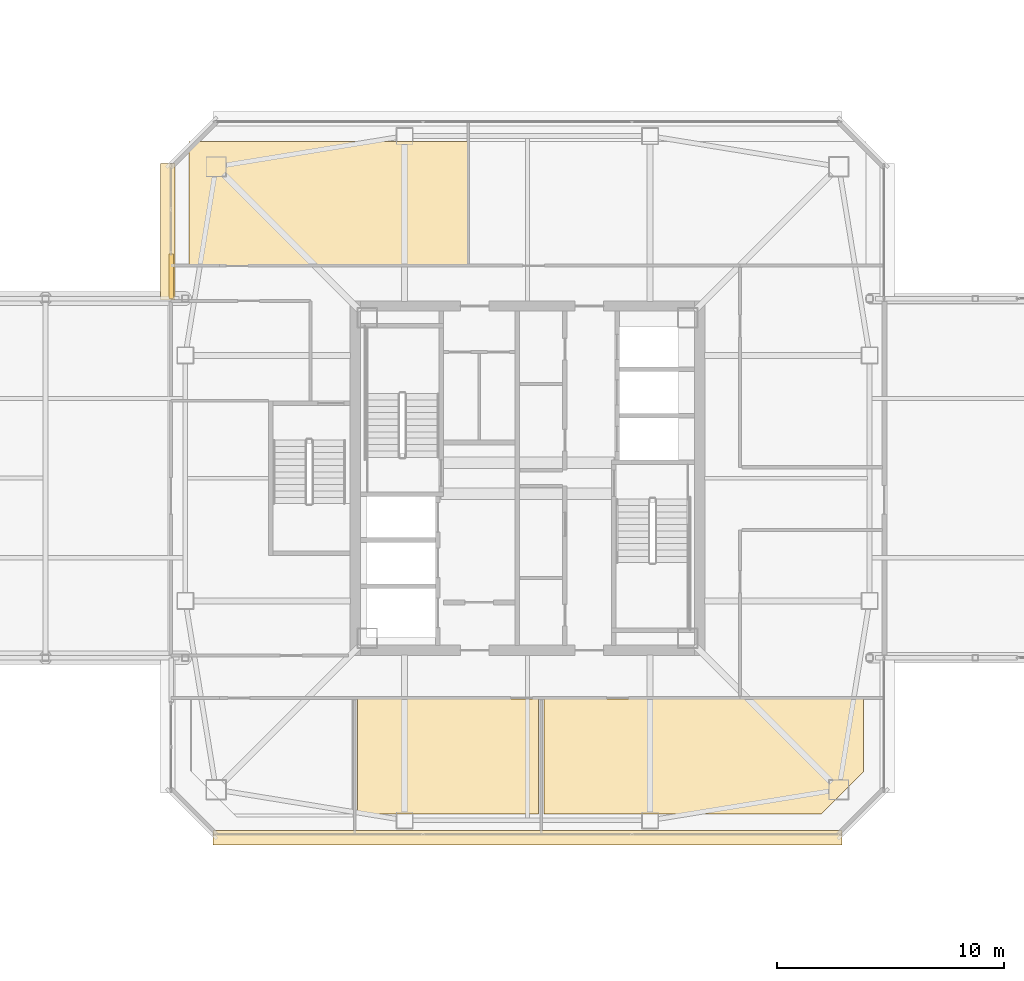
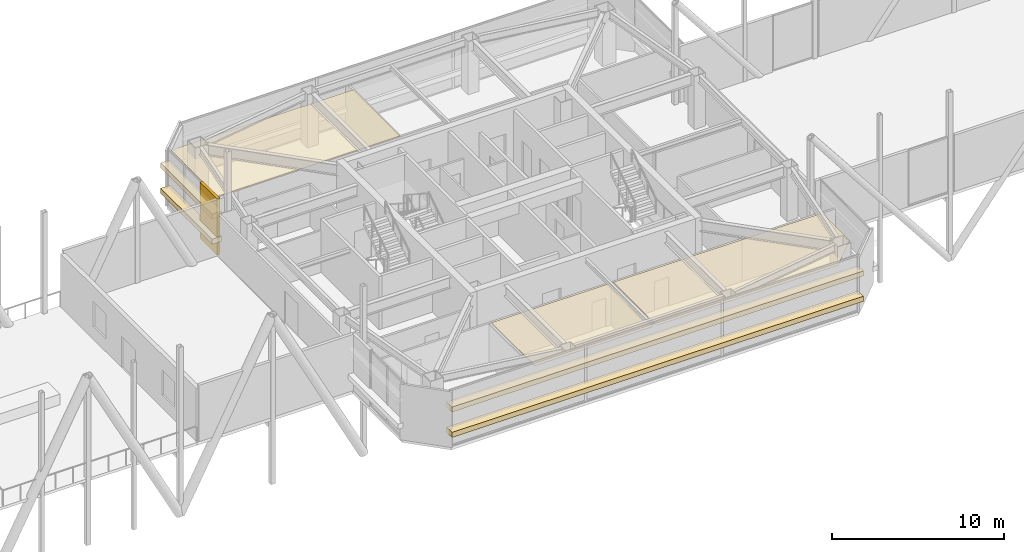
# One storey, part 48 of 53: 8 coverings.
"""IFC4 building model written with IfcOpenShell, lengths in metres."""

from ifc_helpers import new_model, si_unit, direction, frame, origin, origin_2d, place, context, subcontext, project, spatial, polyline, rectangle, outline, extrude, material, layer, layer_set, type_object, element, save


model = new_model("IFC4")

# Units and contexts
model_context = context("Model", 3, precision=1e-05, world=origin(), true_north=direction((0.0, 1.0)))
body_context = subcontext(model_context, "Body", "Model", "MODEL_VIEW")
ifc_project = project(units=[si_unit("LENGTHUNIT", "METRE"), si_unit("AREAUNIT", "SQUARE_METRE"), si_unit("VOLUMEUNIT", "CUBIC_METRE"), si_unit("PLANEANGLEUNIT", "RADIAN"), si_unit("MASSUNIT", "GRAM", prefix="KILO")], contexts=[model_context])

# Site, building, storey
site_placement = place(None, origin())
site = spatial("IfcSite", under=ifc_project, at=site_placement, CompositionType="ELEMENT")
building_placement = place(site_placement, origin())
building = spatial("IfcBuilding", under=site, at=building_placement, Name="Tashvorn Skyway Center", CompositionType="ELEMENT")
storey_placement = place(building_placement, frame((0.0, 0.0, 255.39990234375)))
storey = spatial("IfcBuildingStorey", under=building, at=storey_placement, Name="L69", CompositionType="ELEMENT", Elevation=255.39990234375)

# Coverings
ifc_material_1 = material(Name="Precast concrete C40/50", Category="concrete")
ifc_layer_1 = layer(ifc_material_1, 0.199951171875)
ifc_layer_set_1 = layer_set([ifc_layer_1], Name="Precast concrete C40/50")
covering_type_1 = type_object("IfcCoveringType", Name="COV-BRACE-CLAD", PredefinedType="CLADDING", material=ifc_layer_set_1)
covering_1_placement = place(storey_placement, frame((26.320068359375, 40.8798828125, 0.0), z_axis=(0.0, 0.0, 1.0), x_axis=(0.0, 1.0, 0.0)))
element("IfcCovering", 1, at=covering_1_placement, inside=storey, type_object=covering_type_1, Name="Tower 1 L69 West Curtain Wall B Mega-Brace Cladding Band 1", PredefinedType="CLADDING", context=body_context, shape_type="SweptSolid", body=[
    extrude(rectangle(XDim=1.9599609375, YDim=0.199951171875, at=origin_2d()), origin(), (0.0, 0.0, 1.0), 4.0),
])
ifc_material_2 = material(Name="Mineral-fibre acoustic ceiling tile on suspended grid")
ifc_layer_2 = layer(ifc_material_2, 0.02001953125)
ifc_layer_set_2 = layer_set([ifc_layer_2], Name="Mineral-fibre acoustic ceiling tile on suspended grid")
covering_type_2 = type_object("IfcCoveringType", Name="COV-CEIL-20", PredefinedType="CEILING", material=ifc_layer_set_2)
covering_2_placement = place(storey_placement, frame((0.0, 0.0, 2.951171875)))
element("IfcCovering", 2, at=covering_2_placement, inside=storey, type_object=covering_type_2, Name="Tower 1 L69 Open Plan Office Acoustic Ceiling", PredefinedType="CEILING", context=body_context, shape_type="SweptSolid", body=[
    extrude(outline(polyline([(27.10009765625, 41.35009765625), (39.39990234375, 41.35009765625), (39.39990234375, 46.800048828125), (27.10009765625, 46.800048828125), (27.10009765625, 41.35009765625)])), origin(), (0.0, 0.0, 1.0), 0.02001953125),
])
covering_3_placement = place(storey_placement, frame((0.0, 0.0, 2.951171875)))
element("IfcCovering", 3, at=covering_3_placement, inside=storey, type_object=covering_type_2, Name="Tower 1 L69 Staff Fitness Club Acoustic Ceiling", PredefinedType="CEILING", context=body_context, shape_type="SweptSolid", body=[
    extrude(outline(polyline([(34.52001953125, 22.2900390625), (42.47998046875, 22.2900390625), (42.47998046875, 17.219970703125), (34.52001953125, 17.219970703125), (34.52001953125, 22.2900390625)])), origin(), (0.0, 0.0, 1.0), 0.02001953125),
])
covering_4_placement = place(storey_placement, frame((0.0, 0.0, 2.951171875)))
element("IfcCovering", 4, at=covering_4_placement, inside=storey, type_object=covering_type_2, Name="Tower 1 L69 Staff Fitness Club Acoustic Ceiling", PredefinedType="CEILING", context=body_context, shape_type="SweptSolid", body=[
    extrude(outline(polyline([(42.719970703125, 17.219970703125), (42.719970703125, 22.2900390625), (56.780029296875, 22.2900390625), (56.780029296875, 19.080078125), (54.919921875, 17.219970703125), (42.719970703125, 17.219970703125)])), origin(), (0.0, 0.0, 1.0), 0.02001953125),
])
ifc_material_3 = material(Name="Perforated ceramic-coated bronze aluminium solar screen", Category="aluminium")
ifc_layer_3 = layer(ifc_material_3, 0.85009765625)
ifc_layer_set_3 = layer_set([ifc_layer_3], Name="Perforated ceramic-coated bronze aluminium solar screen")
covering_type_3 = type_object("IfcCoveringType", Name="COV-SOLAR-BAND", PredefinedType="CLADDING", material=ifc_layer_set_3)
for number, where, z_axis, x_axis, name in (
    (5, (42.0, 16.179931640625, 0.919921875), (0.0, 0.0, 1.0), (-1.0, 0.0, 0.0), "L69 Perforated Ceramic-Metal Solar Screen Louvre Band South 1"),
    (6, (42.0, 16.179931640625, 2.72021484375), (0.0, 0.0, 1.0), (-1.0, 0.0, 0.0), "L69 Perforated Ceramic-Metal Solar Screen Louvre Band South 2"),
):
    element("IfcCovering", number, at=place(storey_placement, frame(where, z_axis=z_axis, x_axis=x_axis)), inside=storey, type_object=covering_type_3, Name=name, PredefinedType="CLADDING", context=body_context, shape_type="SweptSolid", body=[
        extrude(rectangle(XDim=27.679931640625, YDim=0.639892578125, at=origin_2d()), origin(), (0.0, 0.0, 1.0), 0.360107421875),
    ])
for number, where, z_axis, x_axis, name in (
    (7, (26.179931640625, 42.840087890625, 0.919921875), (0.0, 0.0, 1.0), (0.0, 1.0, 0.0), "L69 Perforated Ceramic-Metal Solar Screen Louvre Band West 1"),
    (8, (26.179931640625, 42.840087890625, 2.72021484375), (0.0, 0.0, 1.0), (0.0, 1.0, 0.0), "L69 Perforated Ceramic-Metal Solar Screen Louvre Band West 2"),
):
    element("IfcCovering", number, at=place(storey_placement, frame(where, z_axis=z_axis, x_axis=x_axis)), inside=storey, type_object=covering_type_3, Name=name, PredefinedType="CLADDING", context=body_context, shape_type="SweptSolid", body=[
        extrude(rectangle(XDim=6.0, YDim=0.639892578125, at=origin_2d()), origin(), (0.0, 0.0, 1.0), 0.360107421875),
    ])

save(model, "model.ifc")
